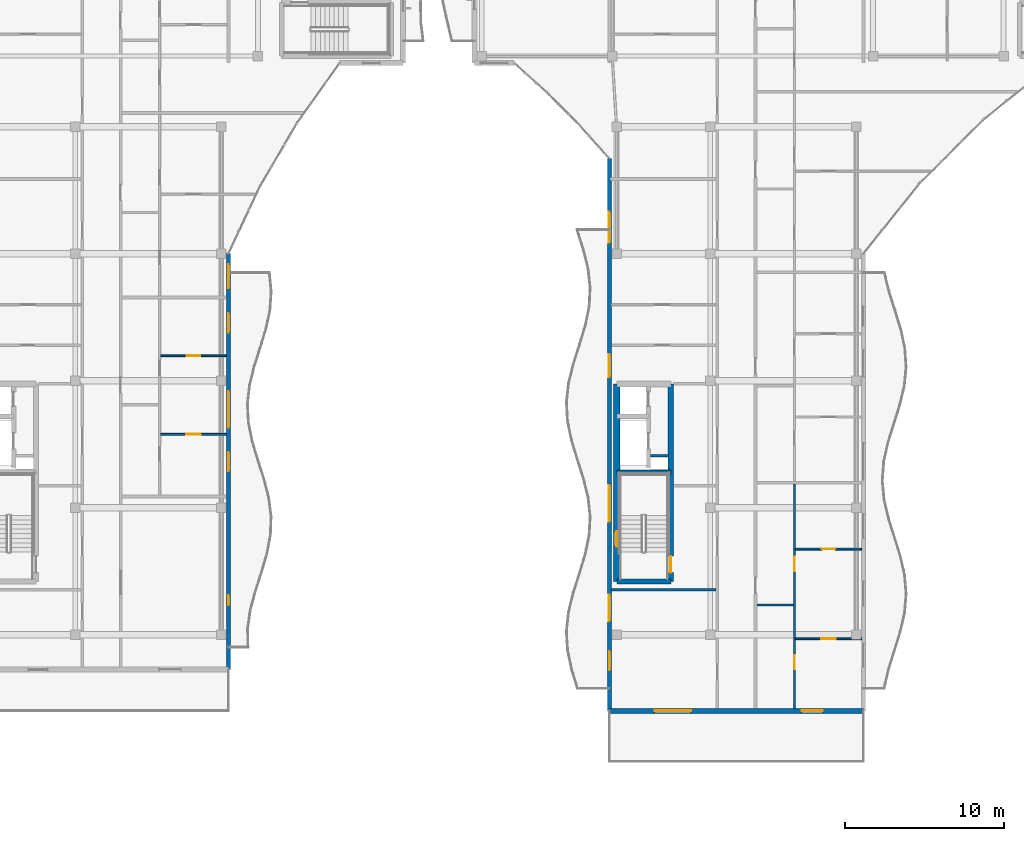
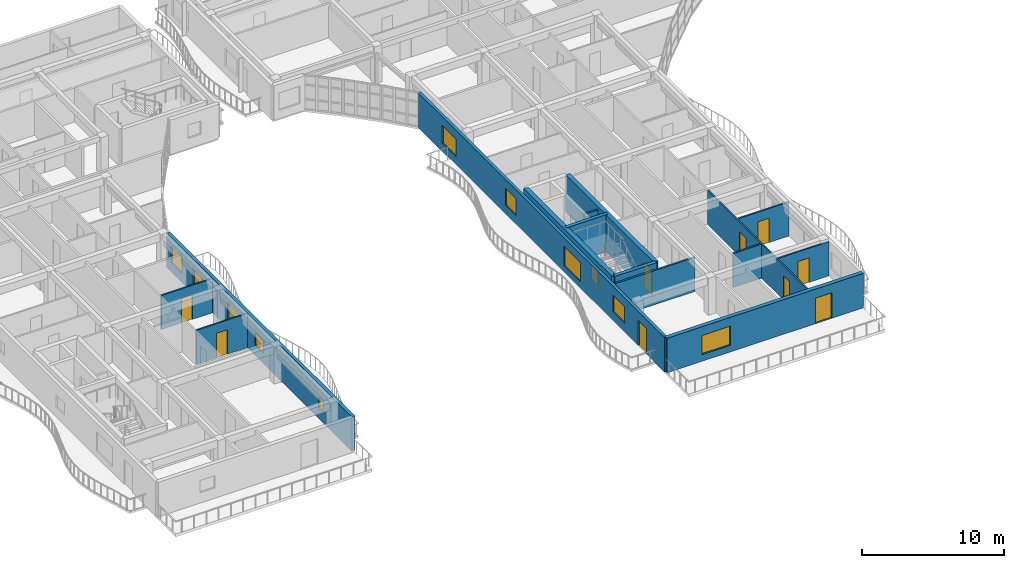
# One storey, part 30 of 71: 15 walls, 10 doors, 10 windows, 20 openings.
"""IFC4 building model written with IfcOpenShell, lengths in metres."""

from ifc_helpers import new_model, si_unit, direction, frame, frame_2d, origin, place, context, subcontext, project, spatial, rectangle, extrude, material, layer, layer_set, type_object, element, fill, save


model = new_model("IFC4")

# Units and contexts
model_context = context("Model", 3, precision=1e-05, world=origin(), true_north=direction((0.0, 1.0)))
body_context = subcontext(model_context, "Body", "Model", "MODEL_VIEW")
ifc_project = project(units=[si_unit("LENGTHUNIT", "METRE"), si_unit("AREAUNIT", "SQUARE_METRE"), si_unit("VOLUMEUNIT", "CUBIC_METRE"), si_unit("PLANEANGLEUNIT", "RADIAN"), si_unit("MASSUNIT", "GRAM", prefix="KILO")], contexts=[model_context])

# Site, building, storey
site_placement = place(None, origin())
site = spatial("IfcSite", under=ifc_project, at=site_placement, CompositionType="ELEMENT")
building_placement = place(site_placement, origin())
building = spatial("IfcBuilding", under=site, at=building_placement, Name="Keldmere Railside Commons", CompositionType="ELEMENT")
storey_placement = place(building_placement, frame((0.0, 0.0, 20.159912109375)))
storey = spatial("IfcBuildingStorey", under=building, at=storey_placement, Name="L06", CompositionType="ELEMENT", Elevation=20.159912109375)

# Wall, opening, door
ifc_material_1 = material(Name="Acoustic Gypsum Board Partition", Category="gypsum")
ifc_layer_1 = layer(ifc_material_1, 0.1201171875, Name="Apartment Interior Partition 120")
ifc_layer_set_1 = layer_set([ifc_layer_1], Name="Acoustic Gypsum Board Partition")
wall_type_1 = type_object("IfcWallType", Name="Apartment Interior Partition 120", PredefinedType="PARTITIONING", material=ifc_layer_set_1)
wall_1_placement = place(storey_placement, frame((19.719970703125, 76.6201171875, 0.0), z_axis=(0.0, 0.0, 1.0), x_axis=(1.0, 0.0, 0.0)))
wall_1 = element("IfcWall", 1, at=wall_1_placement, inside=storey, type_object=wall_type_1, Name="IW-4 IW-L06-0421", PredefinedType="PARTITIONING", context=body_context, shape_type="SweptSolid", body=[
    extrude(rectangle(XDim=4.150146484375, YDim=0.1201171875, at=frame_2d((2.0751953125, 0.0))), origin(), (0.0, 0.0, 1.0), 2.93505859375),
])
opening_1_placement = place(wall_1_placement, frame((1.625, 0.0, 0.0)))
opening_1 = element("IfcOpeningElement", 2, at=opening_1_placement, cuts=wall_1, Name="Opening ID-01", PredefinedType="OPENING", context=body_context, shape_type="SweptSolid", body=[
    extrude(rectangle(XDim=0.89990234375, YDim=2.10009765625, at=frame_2d((0.449951171875, 1.050048828125))), frame((0.0, 0.070068359375, 0.0), z_axis=(0.0, -1.0, 0.0), x_axis=(1.0, 0.0, 0.0)), (0.0, 0.0, 1.0), 0.14013671875),
])
ifc_material_2 = material(Name="Engineered Oak Timber", Category="wood")
door_type_1 = type_object("IfcDoorType", Name="Primary Bedroom Door 900x2100", OperationType="NOTDEFINED", PredefinedType="DOOR", material=ifc_material_2)
door_1_placement = place(opening_1_placement, origin())
door_1 = element("IfcDoor", 3, at=door_1_placement, inside=storey, type_object=door_type_1, Name="ID-01 IDR-L06-0320", OperationType="SINGLE_SWING_RIGHT", OverallHeight=2.10009765625, OverallWidth=0.89990234375, PredefinedType="DOOR", context=body_context, shape_type="SweptSolid", body=[
    extrude(rectangle(XDim=0.89990234375, YDim=2.10009765625, at=frame_2d((0.449951171875, 1.050048828125))), frame((0.0, 0.02490234375, 0.0), z_axis=(0.0, -1.0, 0.0), x_axis=(1.0, 0.0, 0.0)), (0.0, 0.0, 1.0), 0.050048828125),
])
fill(opening_1, door_1)

wall_2_placement = place(storey_placement, frame((19.719970703125, 81.570068359375, 0.0), z_axis=(0.0, 0.0, 1.0), x_axis=(1.0, 0.0, 0.0)))
wall_2 = element("IfcWall", 4, at=wall_2_placement, inside=storey, type_object=wall_type_1, Name="IW-4 IW-L06-0422", PredefinedType="PARTITIONING", context=body_context, shape_type="SweptSolid", body=[
    extrude(rectangle(XDim=4.150146484375, YDim=0.1201171875, at=frame_2d((2.0751953125, 0.0))), origin(), (0.0, 0.0, 1.0), 2.93505859375),
])
opening_2_placement = place(wall_2_placement, frame((1.635009765625, 0.0, 0.0)))
opening_2 = element("IfcOpeningElement", 5, at=opening_2_placement, cuts=wall_2, Name="Opening ID-02", PredefinedType="OPENING", context=body_context, shape_type="SweptSolid", body=[
    extrude(rectangle(XDim=0.8798828125, YDim=2.10009765625, at=frame_2d((0.43994140625, 1.050048828125))), frame((0.0, 0.070068359375, 0.0), z_axis=(0.0, -1.0, 0.0), x_axis=(1.0, 0.0, 0.0)), (0.0, 0.0, 1.0), 0.14013671875),
])
door_type_2 = type_object("IfcDoorType", Name="Secondary Bedroom Door 880x2100", OperationType="NOTDEFINED", PredefinedType="DOOR", material=ifc_material_2)
door_2_placement = place(opening_2_placement, origin())
door_2 = element("IfcDoor", 6, at=door_2_placement, inside=storey, type_object=door_type_2, Name="ID-02 IDR-L06-0321", OperationType="SINGLE_SWING_LEFT", OverallHeight=2.10009765625, OverallWidth=0.8798828125, PredefinedType="DOOR", context=body_context, shape_type="SweptSolid", body=[
    extrude(rectangle(XDim=0.8798828125, YDim=2.10009765625, at=frame_2d((0.43994140625, 1.050048828125))), frame((0.0, 0.02490234375, 0.0), z_axis=(0.0, -1.0, 0.0), x_axis=(1.0, 0.0, 0.0)), (0.0, 0.0, 1.0), 0.050048828125),
])
fill(opening_2, door_2)

# Wall, openings, doors
wall_3_placement = place(storey_placement, frame((59.659912109375, 59.360107421875, 0.0), z_axis=(0.0, 0.0, 1.0), x_axis=(0.0, 1.0, 0.0)))
wall_3 = element("IfcWall", 7, at=wall_3_placement, inside=storey, type_object=wall_type_1, Name="IW-4 IW-L06-0737", PredefinedType="PARTITIONING", context=body_context, shape_type="SweptSolid", body=[
    extrude(rectangle(XDim=14.119873046875, YDim=0.1201171875, at=frame_2d((7.06005859375, 0.0))), origin(), (0.0, 0.0, 1.0), 2.93505859375),
])
opening_3_placement = place(wall_3_placement, frame((2.469970703125, 0.0, 0.0)))
opening_3 = element("IfcOpeningElement", 8, at=opening_3_placement, cuts=wall_3, Name="Opening ID-04", PredefinedType="OPENING", context=body_context, shape_type="SweptSolid", body=[
    extrude(rectangle(XDim=0.860107421875, YDim=2.10009765625, at=frame_2d((0.43017578125, 1.050048828125))), frame((0.0, 0.070068359375, 0.0), z_axis=(0.0, -1.0, 0.0), x_axis=(1.0, 0.0, 0.0)), (0.0, 0.0, 1.0), 0.14013671875),
])
opening_4_placement = place(wall_3_placement, frame((8.633544921875, 0.0, 0.0)))
opening_4 = element("IfcOpeningElement", 9, at=opening_4_placement, cuts=wall_3, Name="Opening ID-03", PredefinedType="OPENING", context=body_context, shape_type="SweptSolid", body=[
    extrude(rectangle(XDim=0.919921875, YDim=2.10009765625, at=frame_2d((0.4599609375, 1.050048828125))), frame((0.0, 0.070068359375, 0.0), z_axis=(0.0, -1.0, 0.0), x_axis=(1.0, 0.0, 0.0)), (0.0, 0.0, 1.0), 0.14013671875),
])
door_type_3 = type_object("IfcDoorType", Name="Apartment Bathroom Door 860x2100", OperationType="NOTDEFINED", PredefinedType="DOOR", material=ifc_material_2)
door_3_placement = place(opening_3_placement, origin())
door_3 = element("IfcDoor", 10, at=door_3_placement, inside=storey, type_object=door_type_3, Name="ID-04 IDR-L06-0617", OperationType="SINGLE_SWING_LEFT", OverallHeight=2.10009765625, OverallWidth=0.860107421875, PredefinedType="DOOR", context=body_context, shape_type="SweptSolid", body=[
    extrude(rectangle(XDim=0.860107421875, YDim=2.10009765625, at=frame_2d((0.43017578125, 1.050048828125))), frame((0.0, 0.02490234375, 0.0), z_axis=(0.0, -1.0, 0.0), x_axis=(1.0, 0.0, 0.0)), (0.0, 0.0, 1.0), 0.050048828125),
])
fill(opening_3, door_3)
door_type_4 = type_object("IfcDoorType", Name="Kitchen Pocket-Frame Swing Door 920x2100", OperationType="NOTDEFINED", PredefinedType="DOOR", material=ifc_material_2)
door_4_placement = place(opening_4_placement, origin())
door_4 = element("IfcDoor", 11, at=door_4_placement, inside=storey, type_object=door_type_4, Name="ID-03 IDR-L06-0618", OperationType="SINGLE_SWING_RIGHT", OverallHeight=2.10009765625, OverallWidth=0.919921875, PredefinedType="DOOR", context=body_context, shape_type="SweptSolid", body=[
    extrude(rectangle(XDim=0.919921875, YDim=2.10009765625, at=frame_2d((0.4599609375, 1.050048828125))), frame((0.0, 0.02490234375, 0.0), z_axis=(0.0, -1.0, 0.0), x_axis=(1.0, 0.0, 0.0)), (0.0, 0.0, 1.0), 0.050048828125),
])
fill(opening_4, door_4)

# Wall, opening, door
wall_4_placement = place(storey_placement, frame((59.719970703125, 63.739990234375, 0.0), z_axis=(0.0, 0.0, 1.0), x_axis=(1.0, 0.0, 0.0)))
wall_4 = element("IfcWall", 12, at=wall_4_placement, inside=storey, type_object=wall_type_1, Name="IW-4 IW-L06-0739", PredefinedType="PARTITIONING", context=body_context, shape_type="SweptSolid", body=[
    extrude(rectangle(XDim=4.159912109375, YDim=0.1201171875, at=frame_2d((2.080078125, 0.0))), origin(), (0.0, 0.0, 1.0), 2.93505859375),
])
opening_5_placement = place(wall_4_placement, frame((1.6298828125, 0.0, 0.0)))
opening_5 = element("IfcOpeningElement", 13, at=opening_5_placement, cuts=wall_4, Name="Opening ID-01", PredefinedType="OPENING", context=body_context, shape_type="SweptSolid", body=[
    extrude(rectangle(XDim=0.89990234375, YDim=2.10009765625, at=frame_2d((0.449951171875, 1.050048828125))), frame((0.0, 0.070068359375, 0.0), z_axis=(0.0, -1.0, 0.0), x_axis=(1.0, 0.0, 0.0)), (0.0, 0.0, 1.0), 0.14013671875),
])
door_5_placement = place(opening_5_placement, origin())
door_5 = element("IfcDoor", 14, at=door_5_placement, inside=storey, type_object=door_type_1, Name="ID-01 IDR-L06-0620", OperationType="SINGLE_SWING_RIGHT", OverallHeight=2.10009765625, OverallWidth=0.89990234375, PredefinedType="DOOR", context=body_context, shape_type="SweptSolid", body=[
    extrude(rectangle(XDim=0.89990234375, YDim=2.10009765625, at=frame_2d((0.449951171875, 1.050048828125))), frame((0.0, 0.02490234375, 0.0), z_axis=(0.0, -1.0, 0.0), x_axis=(1.0, 0.0, 0.0)), (0.0, 0.0, 1.0), 0.050048828125),
])
fill(opening_5, door_5)

wall_5_placement = place(storey_placement, frame((59.719970703125, 69.389892578125, 0.0), z_axis=(0.0, 0.0, 1.0), x_axis=(1.0, 0.0, 0.0)))
wall_5 = element("IfcWall", 15, at=wall_5_placement, inside=storey, type_object=wall_type_1, Name="IW-4 IW-L06-0740", PredefinedType="PARTITIONING", context=body_context, shape_type="SweptSolid", body=[
    extrude(rectangle(XDim=4.159912109375, YDim=0.1201171875, at=frame_2d((2.080078125, 0.0))), origin(), (0.0, 0.0, 1.0), 2.93505859375),
])
opening_6_placement = place(wall_5_placement, frame((1.639892578125, 0.0, 0.0)))
opening_6 = element("IfcOpeningElement", 16, at=opening_6_placement, cuts=wall_5, Name="Opening ID-02", PredefinedType="OPENING", context=body_context, shape_type="SweptSolid", body=[
    extrude(rectangle(XDim=0.8798828125, YDim=2.10009765625, at=frame_2d((0.43994140625, 1.050048828125))), frame((0.0, 0.070068359375, 0.0), z_axis=(0.0, -1.0, 0.0), x_axis=(1.0, 0.0, 0.0)), (0.0, 0.0, 1.0), 0.14013671875),
])
door_6_placement = place(opening_6_placement, origin())
door_6 = element("IfcDoor", 17, at=door_6_placement, inside=storey, type_object=door_type_2, Name="ID-02 IDR-L06-0621", OperationType="SINGLE_SWING_LEFT", OverallHeight=2.10009765625, OverallWidth=0.8798828125, PredefinedType="DOOR", context=body_context, shape_type="SweptSolid", body=[
    extrude(rectangle(XDim=0.8798828125, YDim=2.10009765625, at=frame_2d((0.43994140625, 1.050048828125))), frame((0.0, 0.02490234375, 0.0), z_axis=(0.0, -1.0, 0.0), x_axis=(1.0, 0.0, 0.0)), (0.0, 0.0, 1.0), 0.050048828125),
])
fill(opening_6, door_6)

# Wall
ifc_material_3 = material(Name="Concrete H-35 (C35/45)", Category="concrete")
ifc_layer_2 = layer(ifc_material_3, 0.280029296875, Name="Core Shear Wall 280")
ifc_layer_set_2 = layer_set([ifc_layer_2], Name="Concrete H-35 (C35/45)")
wall_type_2 = type_object("IfcWallType", Name="Core Shear Wall 280", PredefinedType="SHEAR", material=ifc_layer_set_2)
wall_6_placement = place(storey_placement, frame((48.4599609375, 74.239990234375, 0.0), z_axis=(0.0, 0.0, 1.0), x_axis=(1.0, 0.0, 0.0)))
element("IfcWall", 18, at=wall_6_placement, inside=storey, type_object=wall_type_2, Name="CSW-2 CORECM-L06-0274", PredefinedType="SHEAR", context=body_context, shape_type="SweptSolid", body=[
    extrude(rectangle(XDim=3.41015625, YDim=0.280029296875, at=frame_2d((1.705078125, 0.0))), origin(), (0.0, 0.0, 1.0), 3.2001953125),
])

# Wall, opening, window
ifc_material_4 = material(Name="Concrete H-40 (C40/50)", Category="concrete")
ifc_layer_3 = layer(ifc_material_4, 0.3798828125, Name="Core Shear Wall 380")
ifc_layer_set_3 = layer_set([ifc_layer_3], Name="Concrete H-40 (C40/50)")
wall_type_3 = type_object("IfcWallType", Name="Core Shear Wall 380", PredefinedType="SHEAR", material=ifc_layer_set_3)
wall_7_placement = place(storey_placement, frame((48.4599609375, 67.35009765625, 0.0), z_axis=(0.0, 0.0, 1.0), x_axis=(0.0, 1.0, 0.0)))
wall_7 = element("IfcWall", 19, at=wall_7_placement, inside=storey, type_object=wall_type_3, Name="CW-CORE CORECW-L06-0270", PredefinedType="SHEAR", context=body_context, shape_type="SweptSolid", body=[
    extrude(rectangle(XDim=12.449951171875, YDim=0.3798828125, at=frame_2d((6.22509765625, 0.0))), origin(), (0.0, 0.0, 1.0), 3.2001953125),
])
opening_7_placement = place(wall_7_placement, frame((2.199951171875, 0.0, 0.969970703125)))
opening_7 = element("IfcOpeningElement", 20, at=opening_7_placement, cuts=wall_7, Name="Opening WN-17", PredefinedType="OPENING", context=body_context, shape_type="SweptSolid", body=[
    extrude(rectangle(XDim=0.949951171875, YDim=1.25, at=frame_2d((0.47509765625, 0.625))), frame((0.0, 0.199951171875, 0.0), z_axis=(0.0, -1.0, 0.0), x_axis=(1.0, 0.0, 0.0)), (0.0, 0.0, 1.0), 0.39990234375),
])
ifc_material_5 = material(Name="Low-E Insulated Double Glazing", Category="glass")
window_type_1 = type_object("IfcWindowType", Name="Stair Core Natural Smoke-Vent Window 950x1250", PartitioningType="SINGLE_PANEL", PredefinedType="WINDOW", material=ifc_material_5)
window_1_placement = place(opening_7_placement, origin())
window_1 = element("IfcWindow", 21, at=window_1_placement, inside=storey, type_object=window_type_1, Name="WN-17 WIN-L06-0152", OverallHeight=1.25, OverallWidth=0.949951171875, PartitioningType="SINGLE_PANEL", PredefinedType="WINDOW", context=body_context, shape_type="SweptSolid", body=[
    extrude(rectangle(XDim=0.949951171875, YDim=1.25, at=frame_2d((0.47509765625, 0.625))), frame((0.0, 0.030029296875, 0.0), z_axis=(0.0, -1.0, 0.0), x_axis=(1.0, 0.0, 0.0)), (0.0, 0.0, 1.0), 0.06005859375),
])
fill(opening_7, window_1)

# Wall, openings, door, window
ifc_layer_4 = layer(ifc_material_3, 0.320068359375, Name="Exterior Shear Wall 320")
ifc_layer_set_4 = layer_set([ifc_layer_4], Name="Concrete H-35 (C35/45)")
wall_type_4 = type_object("IfcWallType", Name="Exterior Shear Wall 320", PredefinedType="SHEAR", material=ifc_layer_set_4)
wall_8_placement = place(storey_placement, frame((64.0, 59.199951171875, 0.0), z_axis=(0.0, 0.0, 1.0), x_axis=(-1.0, 0.0, 0.0)))
wall_8 = element("IfcWall", 22, at=wall_8_placement, inside=storey, type_object=wall_type_4, Name="ESW-2 EXTC-L06-0371", PredefinedType="SHEAR", context=body_context, shape_type="SweptSolid", body=[
    extrude(rectangle(XDim=16.0, YDim=0.320068359375, at=frame_2d((8.0, 0.0))), origin(), (0.0, 0.0, 1.0), 2.97998046875),
])
opening_8_placement = place(wall_8_placement, frame((2.550048828125, 0.0, 0.0)))
opening_8 = element("IfcOpeningElement", 23, at=opening_8_placement, cuts=wall_8, Name="Opening BD-03", PredefinedType="OPENING", context=body_context, shape_type="SweptSolid", body=[
    extrude(rectangle(XDim=1.35009765625, YDim=2.199951171875, at=frame_2d((0.675048828125, 1.10009765625))), frame((0.0, 0.169921875, 0.0), z_axis=(0.0, -1.0, 0.0), x_axis=(1.0, 0.0, 0.0)), (0.0, 0.0, 1.0), 0.340087890625),
])
opening_9_placement = place(wall_8_placement, frame((10.85009765625, 0.0, 0.570068359375)))
opening_9 = element("IfcOpeningElement", 24, at=opening_9_placement, cuts=wall_8, Name="Opening WN-23", PredefinedType="OPENING", context=body_context, shape_type="SweptSolid", body=[
    extrude(rectangle(XDim=2.300048828125, YDim=1.64990234375, at=frame_2d((1.14990234375, 0.824951171875))), frame((0.0, 0.169921875, 0.0), z_axis=(0.0, -1.0, 0.0), x_axis=(1.0, 0.0, 0.0)), (0.0, 0.0, 1.0), 0.340087890625),
])
ifc_material_6 = material(Name="Thermally Broken Aluminium", Category="aluminium")
door_type_5 = type_object("IfcDoorType", Name="Planted Roof-Terrace Lounge Door 1350x2200", OperationType="NOTDEFINED", PredefinedType="DOOR", material=ifc_material_6)
door_7_placement = place(opening_8_placement, origin())
door_7 = element("IfcDoor", 25, at=door_7_placement, inside=storey, type_object=door_type_5, Name="BD-03 DR-L06-0093", OperationType="SINGLE_SWING_LEFT", OverallHeight=2.199951171875, OverallWidth=1.35009765625, PredefinedType="DOOR", context=body_context, shape_type="SweptSolid", body=[
    extrude(rectangle(XDim=1.35009765625, YDim=2.199951171875, at=frame_2d((0.675048828125, 1.10009765625))), frame((0.0, 0.02490234375, 0.0), z_axis=(0.0, -1.0, 0.0), x_axis=(1.0, 0.0, 0.0)), (0.0, 0.0, 1.0), 0.050048828125),
])
fill(opening_8, door_7)
window_type_2 = type_object("IfcWindowType", Name="Setback Terrace Penthouse Window 2300x1650", PartitioningType="SINGLE_PANEL", PredefinedType="WINDOW", material=ifc_material_5)
window_2_placement = place(opening_9_placement, origin())
window_2 = element("IfcWindow", 26, at=window_2_placement, inside=storey, type_object=window_type_2, Name="WN-23 WIN-L06-0269", OverallHeight=1.64990234375, OverallWidth=2.300048828125, PartitioningType="SINGLE_PANEL", PredefinedType="WINDOW", context=body_context, shape_type="SweptSolid", body=[
    extrude(rectangle(XDim=2.300048828125, YDim=1.64990234375, at=frame_2d((1.14990234375, 0.824951171875))), frame((0.0, 0.030029296875, 0.0), z_axis=(0.0, -1.0, 0.0), x_axis=(1.0, 0.0, 0.0)), (0.0, 0.0, 1.0), 0.06005859375),
])
fill(opening_9, window_2)

# Wall
ifc_layer_5 = layer(ifc_material_3, 0.300048828125, Name="Interior Shear Wall 300")
ifc_layer_set_5 = layer_set([ifc_layer_5], Name="Concrete H-35 (C35/45)")
wall_type_5 = type_object("IfcWallType", Name="Interior Shear Wall 300", PredefinedType="SHEAR", material=ifc_layer_set_5)
wall_9_placement = place(storey_placement, frame((51.8701171875, 67.35009765625, 0.0), z_axis=(0.0, 0.0, 1.0), x_axis=(-1.0, 0.0, 0.0)))
element("IfcWall", 27, at=wall_9_placement, inside=storey, type_object=wall_type_5, Name="ISW-2 CORECS-L06-0273", PredefinedType="SHEAR", context=body_context, shape_type="SweptSolid", body=[
    extrude(rectangle(XDim=3.41015625, YDim=0.300048828125, at=frame_2d((1.705078125, 0.0))), origin(), (0.0, 0.0, 1.0), 3.2001953125),
])

# Wall, opening, door
ifc_layer_6 = layer(ifc_material_3, 0.340087890625, Name="Interior Shear Wall 340")
ifc_layer_set_6 = layer_set([ifc_layer_6], Name="Concrete H-35 (C35/45)")
wall_type_6 = type_object("IfcWallType", Name="Interior Shear Wall 340", PredefinedType="SHEAR", material=ifc_layer_set_6)
wall_10_placement = place(storey_placement, frame((51.8701171875, 79.800048828125, 0.0), z_axis=(0.0, 0.0, 1.0), x_axis=(0.0, -1.0, 0.0)))
wall_10 = element("IfcWall", 28, at=wall_10_placement, inside=storey, type_object=wall_type_6, Name="ISW-1 CORECE-L06-0272", PredefinedType="SHEAR", context=body_context, shape_type="SweptSolid", body=[
    extrude(rectangle(XDim=12.449951171875, YDim=0.340087890625, at=frame_2d((6.22509765625, 0.0))), origin(), (0.0, 0.0, 1.0), 3.2001953125),
])
opening_10_placement = place(wall_10_placement, frame((10.85009765625, 0.0, 0.0)))
opening_10 = element("IfcOpeningElement", 29, at=opening_10_placement, cuts=wall_10, Name="Opening FD-1", PredefinedType="OPENING", context=body_context, shape_type="SweptSolid", body=[
    extrude(rectangle(XDim=1.050048828125, YDim=2.14990234375, at=frame_2d((0.52490234375, 1.074951171875))), frame((0.0, 0.179931640625, 0.0), z_axis=(0.0, -1.0, 0.0), x_axis=(1.0, 0.0, 0.0)), (0.0, 0.0, 1.0), 0.360107421875),
])
ifc_material_7 = material(Name="Steel F-24 (S235)", Category="steel")
door_type_6 = type_object("IfcDoorType", Name="Stair Core Fire Door 1050x2150", OperationType="NOTDEFINED", PredefinedType="DOOR", material=ifc_material_7)
door_8_placement = place(opening_10_placement, origin())
door_8 = element("IfcDoor", 30, at=door_8_placement, inside=storey, type_object=door_type_6, Name="FD-1 C1 L06", OperationType="SINGLE_SWING_LEFT", OverallHeight=2.14990234375, OverallWidth=1.050048828125, PredefinedType="DOOR", context=body_context, shape_type="SweptSolid", body=[
    extrude(rectangle(XDim=1.050048828125, YDim=2.14990234375, at=frame_2d((0.52490234375, 1.074951171875))), frame((0.0, 0.02490234375, 0.0), z_axis=(0.0, -1.0, 0.0), x_axis=(1.0, 0.0, 0.0)), (0.0, 0.0, 1.0), 0.050048828125),
])
fill(opening_10, door_8)

# Walls
ifc_layer_7 = layer(ifc_material_1, 0.14990234375, Name="Lobby Rated Partition 150")
ifc_layer_set_7 = layer_set([ifc_layer_7], Name="Acoustic Gypsum Board Partition")
wall_type_7 = type_object("IfcWallType", Name="Lobby Rated Partition 150", PredefinedType="PARTITIONING", material=ifc_layer_set_7)
wall_11_placement = place(storey_placement, frame((50.60009765625, 75.280029296875, 0.0), z_axis=(0.0, 0.0, 1.0), x_axis=(1.0, 0.0, 0.0)))
element("IfcWall", 31, at=wall_11_placement, inside=storey, type_object=wall_type_7, Name="IW-3 RSRNC-L06-0277", PredefinedType="PARTITIONING", context=body_context, shape_type="SweptSolid", body=[
    extrude(rectangle(XDim=1.1298828125, YDim=0.14990234375, at=frame_2d((0.56494140625, 0.0))), origin(), (0.0, 0.0, 1.0), 2.9501953125),
])
wall_12_placement = place(storey_placement, frame((48.1201171875, 66.820068359375, 0.0), z_axis=(0.0, 0.0, 1.0), x_axis=(1.0, 0.0, 0.0)))
element("IfcWall", 32, at=wall_12_placement, inside=storey, type_object=wall_type_7, Name="IW-3 IW-L06-0722", PredefinedType="PARTITIONING", context=body_context, shape_type="SweptSolid", body=[
    extrude(rectangle(XDim=6.599853515625, YDim=0.14990234375, at=frame_2d((3.2998046875, 0.0))), origin(), (0.0, 0.0, 1.0), 2.93505859375),
])

# Wall, openings, windows, door
ifc_material_8 = material(Name="Architectural Precast Concrete H-35 (C35/45)", Category="concrete")
ifc_layer_8 = layer(ifc_material_8, 0.239990234375, Name="Sand-Ochre Precast Cavity Wall 240")
ifc_layer_set_8 = layer_set([ifc_layer_8], Name="Architectural Precast Concrete H-35 (C35/45)")
wall_type_8 = type_object("IfcWallType", Name="Sand-Ochre Precast Cavity Wall 240", PredefinedType="SOLIDWALL", material=ifc_layer_set_8)
wall_13_placement = place(storey_placement, frame((48.0, 59.199951171875, 0.0), z_axis=(0.0, 0.0, 1.0), x_axis=(0.0, 1.0, 0.0)))
wall_13 = element("IfcWall", 33, at=wall_13_placement, inside=storey, type_object=wall_type_8, Name="EW-2 EXTC-L06-0378", PredefinedType="SOLIDWALL", context=body_context, shape_type="SweptSolid", body=[
    extrude(rectangle(XDim=34.800048828125, YDim=0.239990234375, at=frame_2d((17.39990234375, 0.0))), origin(), (0.0, 0.0, 1.0), 2.97998046875),
])
opening_11_placement = place(wall_13_placement, frame((2.550048828125, 0.0, 0.0)))
opening_11 = element("IfcOpeningElement", 34, at=opening_11_placement, cuts=wall_13, Name="Opening BD-01", PredefinedType="OPENING", context=body_context, shape_type="SweptSolid", body=[
    extrude(rectangle(XDim=1.199951171875, YDim=2.199951171875, at=frame_2d((0.60009765625, 1.10009765625))), frame((0.0, 0.1298828125, 0.0), z_axis=(0.0, -1.0, 0.0), x_axis=(1.0, 0.0, 0.0)), (0.0, 0.0, 1.0), 0.260009765625),
])
opening_12_placement = place(wall_13_placement, frame((5.64990234375, 0.0, 0.77001953125)))
opening_12 = element("IfcOpeningElement", 35, at=opening_12_placement, cuts=wall_13, Name="Opening WN-03", PredefinedType="OPENING", context=body_context, shape_type="SweptSolid", body=[
    extrude(rectangle(XDim=1.64990234375, YDim=1.449951171875, at=frame_2d((0.824951171875, 0.72509765625))), frame((0.0, 0.1298828125, 0.0), z_axis=(0.0, -1.0, 0.0), x_axis=(1.0, 0.0, 0.0)), (0.0, 0.0, 1.0), 0.260009765625),
])
opening_13_placement = place(wall_13_placement, frame((11.89990234375, 0.0, 0.570068359375)))
opening_13 = element("IfcOpeningElement", 36, at=opening_13_placement, cuts=wall_13, Name="Opening WN-23", PredefinedType="OPENING", context=body_context, shape_type="SweptSolid", body=[
    extrude(rectangle(XDim=2.300048828125, YDim=1.64990234375, at=frame_2d((1.14990234375, 0.824951171875))), frame((0.0, 0.1298828125, 0.0), z_axis=(0.0, -1.0, 0.0), x_axis=(1.0, 0.0, 0.0)), (0.0, 0.0, 1.0), 0.260009765625),
])
opening_14_placement = place(wall_13_placement, frame((21.02490234375, 0.0, 0.77001953125)))
opening_14 = element("IfcOpeningElement", 37, at=opening_14_placement, cuts=wall_13, Name="Opening WN-24", PredefinedType="OPENING", context=body_context, shape_type="SweptSolid", body=[
    extrude(rectangle(XDim=1.449951171875, YDim=1.449951171875, at=frame_2d((0.72509765625, 0.72509765625))), frame((0.0, 0.1298828125, 0.0), z_axis=(0.0, -1.0, 0.0), x_axis=(1.0, 0.0, 0.0)), (0.0, 0.0, 1.0), 0.260009765625),
])
opening_15_placement = place(wall_13_placement, frame((29.47509765625, 0.0, 0.719970703125)))
opening_15 = element("IfcOpeningElement", 38, at=opening_15_placement, cuts=wall_13, Name="Opening WN-38", PredefinedType="OPENING", context=body_context, shape_type="SweptSolid", body=[
    extrude(rectangle(XDim=1.949951171875, YDim=1.5, at=frame_2d((0.97509765625, 0.75))), frame((0.0, 0.1298828125, 0.0), z_axis=(0.0, -1.0, 0.0), x_axis=(1.0, 0.0, 0.0)), (0.0, 0.0, 1.0), 0.260009765625),
])
window_type_3 = type_object("IfcWindowType", Name="Adaptable Apartment Wide Window 1950x1500", PartitioningType="SINGLE_PANEL", PredefinedType="WINDOW", material=ifc_material_5)
window_3_placement = place(opening_15_placement, origin())
window_3 = element("IfcWindow", 39, at=window_3_placement, inside=storey, type_object=window_type_3, Name="WN-38 WIN-L06-0287", OverallHeight=1.5, OverallWidth=1.949951171875, PartitioningType="SINGLE_PANEL", PredefinedType="WINDOW", context=body_context, shape_type="SweptSolid", body=[
    extrude(rectangle(XDim=1.949951171875, YDim=1.5, at=frame_2d((0.97509765625, 0.75))), frame((0.0, 0.030029296875, 0.0), z_axis=(0.0, -1.0, 0.0), x_axis=(1.0, 0.0, 0.0)), (0.0, 0.0, 1.0), 0.06005859375),
])
fill(opening_15, window_3)
door_type_7 = type_object("IfcDoorType", Name="Apartment Living Wave-Balcony Glazed Door 1200x2200", OperationType="NOTDEFINED", PredefinedType="DOOR", material=ifc_material_6)
door_9_placement = place(opening_11_placement, origin())
door_9 = element("IfcDoor", 40, at=door_9_placement, inside=storey, type_object=door_type_7, Name="BD-01 DR-L06-0100", OperationType="SINGLE_SWING_RIGHT", OverallHeight=2.199951171875, OverallWidth=1.199951171875, PredefinedType="DOOR", context=body_context, shape_type="SweptSolid", body=[
    extrude(rectangle(XDim=1.199951171875, YDim=2.199951171875, at=frame_2d((0.60009765625, 1.10009765625))), frame((0.0, 0.02490234375, 0.0), z_axis=(0.0, -1.0, 0.0), x_axis=(1.0, 0.0, 0.0)), (0.0, 0.0, 1.0), 0.050048828125),
])
fill(opening_11, door_9)
window_type_4 = type_object("IfcWindowType", Name="Living Room East Shaded Window 1650x1450", PartitioningType="SINGLE_PANEL", PredefinedType="WINDOW", material=ifc_material_5)
window_4_placement = place(opening_12_placement, origin())
window_4 = element("IfcWindow", 41, at=window_4_placement, inside=storey, type_object=window_type_4, Name="WN-03 WIN-L06-0284", OverallHeight=1.449951171875, OverallWidth=1.64990234375, PartitioningType="SINGLE_PANEL", PredefinedType="WINDOW", context=body_context, shape_type="SweptSolid", body=[
    extrude(rectangle(XDim=1.64990234375, YDim=1.449951171875, at=frame_2d((0.824951171875, 0.72509765625))), frame((0.0, 0.030029296875, 0.0), z_axis=(0.0, -1.0, 0.0), x_axis=(1.0, 0.0, 0.0)), (0.0, 0.0, 1.0), 0.06005859375),
])
fill(opening_12, window_4)
window_type_5 = type_object("IfcWindowType", Name="Setback Terrace Bedroom Window 1450x1450", PartitioningType="SINGLE_PANEL", PredefinedType="WINDOW", material=ifc_material_5)
window_5_placement = place(opening_14_placement, origin())
window_5 = element("IfcWindow", 42, at=window_5_placement, inside=storey, type_object=window_type_5, Name="WN-24 WIN-L06-0286", OverallHeight=1.449951171875, OverallWidth=1.449951171875, PartitioningType="SINGLE_PANEL", PredefinedType="WINDOW", context=body_context, shape_type="SweptSolid", body=[
    extrude(rectangle(XDim=1.449951171875, YDim=1.449951171875, at=frame_2d((0.72509765625, 0.72509765625))), frame((0.0, 0.030029296875, 0.0), z_axis=(0.0, -1.0, 0.0), x_axis=(1.0, 0.0, 0.0)), (0.0, 0.0, 1.0), 0.06005859375),
])
fill(opening_14, window_5)
window_6_placement = place(opening_13_placement, origin())
window_6 = element("IfcWindow", 43, at=window_6_placement, inside=storey, type_object=window_type_2, Name="WN-23 WIN-L06-0285", OverallHeight=1.64990234375, OverallWidth=2.300048828125, PartitioningType="SINGLE_PANEL", PredefinedType="WINDOW", context=body_context, shape_type="SweptSolid", body=[
    extrude(rectangle(XDim=2.300048828125, YDim=1.64990234375, at=frame_2d((1.14990234375, 0.824951171875))), frame((0.0, 0.030029296875, 0.0), z_axis=(0.0, -1.0, 0.0), x_axis=(1.0, 0.0, 0.0)), (0.0, 0.0, 1.0), 0.06005859375),
])
fill(opening_13, window_6)

ifc_material_9 = material(Name="Terracotta Brick Masonry", Category="masonry")
ifc_layer_9 = layer(ifc_material_9, 0.260009765625, Name="Terracotta Cavity Wall 260")
ifc_layer_set_9 = layer_set([ifc_layer_9], Name="Terracotta Brick Masonry")
wall_type_9 = type_object("IfcWallType", Name="Terracotta Cavity Wall 260", PredefinedType="SOLIDWALL", material=ifc_layer_set_9)
wall_14_placement = place(storey_placement, frame((24.0, 88.0, 0.0), z_axis=(0.0, 0.0, 1.0), x_axis=(0.0, -1.0, 0.0)))
wall_14 = element("IfcWall", 44, at=wall_14_placement, inside=storey, type_object=wall_type_9, Name="EW-1 EXTD-L06-0165", PredefinedType="SOLIDWALL", context=body_context, shape_type="SweptSolid", body=[
    extrude(rectangle(XDim=26.199951171875, YDim=0.260009765625, at=frame_2d((13.10009765625, 0.0))), origin(), (0.0, 0.0, 1.0), 2.97998046875),
])
opening_16_placement = place(wall_14_placement, frame((3.7666015625, 0.0, 0.0)))
opening_16 = element("IfcOpeningElement", 45, at=opening_16_placement, cuts=wall_14, Name="Opening BD-01", PredefinedType="OPENING", context=body_context, shape_type="SweptSolid", body=[
    extrude(rectangle(XDim=1.199951171875, YDim=2.199951171875, at=frame_2d((0.60009765625, 1.10009765625))), frame((0.0, 0.139892578125, 0.0), z_axis=(0.0, -1.0, 0.0), x_axis=(1.0, 0.0, 0.0)), (0.0, 0.0, 1.0), 0.280029296875),
])
opening_17_placement = place(wall_14_placement, frame((8.666748046875, 0.0, 0.570068359375)))
opening_17 = element("IfcOpeningElement", 46, at=opening_17_placement, cuts=wall_14, Name="Opening WN-23", PredefinedType="OPENING", context=body_context, shape_type="SweptSolid", body=[
    extrude(rectangle(XDim=2.300048828125, YDim=1.64990234375, at=frame_2d((1.14990234375, 0.824951171875))), frame((0.0, 0.139892578125, 0.0), z_axis=(0.0, -1.0, 0.0), x_axis=(1.0, 0.0, 0.0)), (0.0, 0.0, 1.0), 0.280029296875),
])
opening_18_placement = place(wall_14_placement, frame((12.5, 0.0, 0.89990234375)))
opening_18 = element("IfcOpeningElement", 47, at=opening_18_placement, cuts=wall_14, Name="Opening WN-14", PredefinedType="OPENING", context=body_context, shape_type="SweptSolid", body=[
    extrude(rectangle(XDim=1.199951171875, YDim=1.050048828125, at=frame_2d((0.60009765625, 0.52490234375))), frame((0.0, 0.139892578125, 0.0), z_axis=(0.0, -1.0, 0.0), x_axis=(1.0, 0.0, 0.0)), (0.0, 0.0, 1.0), 0.280029296875),
])
opening_19_placement = place(wall_14_placement, frame((21.50830078125, 0.0, 0.89990234375)))
opening_19 = element("IfcOpeningElement", 48, at=opening_19_placement, cuts=wall_14, Name="Opening WN-15", PredefinedType="OPENING", context=body_context, shape_type="SweptSolid", body=[
    extrude(rectangle(XDim=0.64990234375, YDim=0.949951171875, at=frame_2d((0.324951171875, 0.47509765625))), frame((0.0, 0.139892578125, 0.0), z_axis=(0.0, -1.0, 0.0), x_axis=(1.0, 0.0, 0.0)), (0.0, 0.0, 1.0), 0.280029296875),
])
opening_20_placement = place(wall_14_placement, frame((0.675048828125, 0.0, 0.820068359375)))
opening_20 = element("IfcOpeningElement", 49, at=opening_20_placement, cuts=wall_14, Name="Opening WN-06", PredefinedType="OPENING", context=body_context, shape_type="SweptSolid", body=[
    extrude(rectangle(XDim=1.5, YDim=1.39990234375, at=frame_2d((0.75, 0.699951171875))), frame((0.0, 0.139892578125, 0.0), z_axis=(0.0, -1.0, 0.0), x_axis=(1.0, 0.0, 0.0)), (0.0, 0.0, 1.0), 0.280029296875),
])
window_type_6 = type_object("IfcWindowType", Name="Apartment Kitchen Ribbon Window 1200x1050", PartitioningType="SINGLE_PANEL", PredefinedType="WINDOW", material=ifc_material_5)
window_7_placement = place(opening_18_placement, origin())
window_7 = element("IfcWindow", 50, at=window_7_placement, inside=storey, type_object=window_type_6, Name="WN-14 WIN-L06-0119", OverallHeight=1.050048828125, OverallWidth=1.199951171875, PartitioningType="SINGLE_PANEL", PredefinedType="WINDOW", context=body_context, shape_type="SweptSolid", body=[
    extrude(rectangle(XDim=1.199951171875, YDim=1.050048828125, at=frame_2d((0.60009765625, 0.52490234375))), frame((0.0, 0.030029296875, 0.0), z_axis=(0.0, -1.0, 0.0), x_axis=(1.0, 0.0, 0.0)), (0.0, 0.0, 1.0), 0.06005859375),
])
fill(opening_18, window_7)
door_10_placement = place(opening_16_placement, origin())
door_10 = element("IfcDoor", 51, at=door_10_placement, inside=storey, type_object=door_type_7, Name="BD-01 DR-L06-0038", OperationType="SINGLE_SWING_RIGHT", OverallHeight=2.199951171875, OverallWidth=1.199951171875, PredefinedType="DOOR", context=body_context, shape_type="SweptSolid", body=[
    extrude(rectangle(XDim=1.199951171875, YDim=2.199951171875, at=frame_2d((0.60009765625, 1.10009765625))), frame((0.0, 0.02490234375, 0.0), z_axis=(0.0, -1.0, 0.0), x_axis=(1.0, 0.0, 0.0)), (0.0, 0.0, 1.0), 0.050048828125),
])
fill(opening_16, door_10)
window_type_7 = type_object("IfcWindowType", Name="Exterior Bathroom Frosted Window 650x950", PartitioningType="SINGLE_PANEL", PredefinedType="WINDOW", material=ifc_material_5)
window_8_placement = place(opening_19_placement, origin())
window_8 = element("IfcWindow", 52, at=window_8_placement, inside=storey, type_object=window_type_7, Name="WN-15 WIN-L06-0120", OverallHeight=0.949951171875, OverallWidth=0.64990234375, PartitioningType="SINGLE_PANEL", PredefinedType="WINDOW", context=body_context, shape_type="SweptSolid", body=[
    extrude(rectangle(XDim=0.64990234375, YDim=0.949951171875, at=frame_2d((0.324951171875, 0.47509765625))), frame((0.0, 0.030029296875, 0.0), z_axis=(0.0, -1.0, 0.0), x_axis=(1.0, 0.0, 0.0)), (0.0, 0.0, 1.0), 0.06005859375),
])
fill(opening_19, window_8)
window_type_8 = type_object("IfcWindowType", Name="Primary Bedroom North Window 1500x1400", PartitioningType="SINGLE_PANEL", PredefinedType="WINDOW", material=ifc_material_5)
window_9_placement = place(opening_20_placement, origin())
window_9 = element("IfcWindow", 53, at=window_9_placement, inside=storey, type_object=window_type_8, Name="WN-06 WIN-L06-9049", OverallHeight=1.39990234375, OverallWidth=1.5, PartitioningType="SINGLE_PANEL", PredefinedType="WINDOW", context=body_context, shape_type="SweptSolid", body=[
    extrude(rectangle(XDim=1.5, YDim=1.39990234375, at=frame_2d((0.75, 0.699951171875))), frame((0.0, 0.030029296875, 0.0), z_axis=(0.0, -1.0, 0.0), x_axis=(1.0, 0.0, 0.0)), (0.0, 0.0, 1.0), 0.06005859375),
])
fill(opening_20, window_9)
window_10_placement = place(opening_17_placement, origin())
window_10 = element("IfcWindow", 54, at=window_10_placement, inside=storey, type_object=window_type_2, Name="WN-23 WIN-L06-0118", OverallHeight=1.64990234375, OverallWidth=2.300048828125, PartitioningType="SINGLE_PANEL", PredefinedType="WINDOW", context=body_context, shape_type="SweptSolid", body=[
    extrude(rectangle(XDim=2.300048828125, YDim=1.64990234375, at=frame_2d((1.14990234375, 0.824951171875))), frame((0.0, 0.030029296875, 0.0), z_axis=(0.0, -1.0, 0.0), x_axis=(1.0, 0.0, 0.0)), (0.0, 0.0, 1.0), 0.06005859375),
])
fill(opening_17, window_10)

# Wall
ifc_layer_10 = layer(ifc_material_1, 0.139892578125, Name="Wet-Room Sanitary Partition 140")
ifc_layer_set_10 = layer_set([ifc_layer_10], Name="Acoustic Gypsum Board Partition")
wall_type_10 = type_object("IfcWallType", Name="Wet-Room Sanitary Partition 140", PredefinedType="PARTITIONING", material=ifc_layer_set_10)
wall_15_placement = place(storey_placement, frame((57.280029296875, 65.860107421875, 0.0), z_axis=(0.0, 0.0, 1.0), x_axis=(1.0, 0.0, 0.0)))
element("IfcWall", 55, at=wall_15_placement, inside=storey, type_object=wall_type_10, Name="IW-5 IW-L06-0738", PredefinedType="PARTITIONING", context=body_context, shape_type="SweptSolid", body=[
    extrude(rectangle(XDim=2.320068359375, YDim=0.139892578125, at=frame_2d((1.16015625, 0.0))), origin(), (0.0, 0.0, 1.0), 2.93505859375),
])

save(model, "model.ifc")
